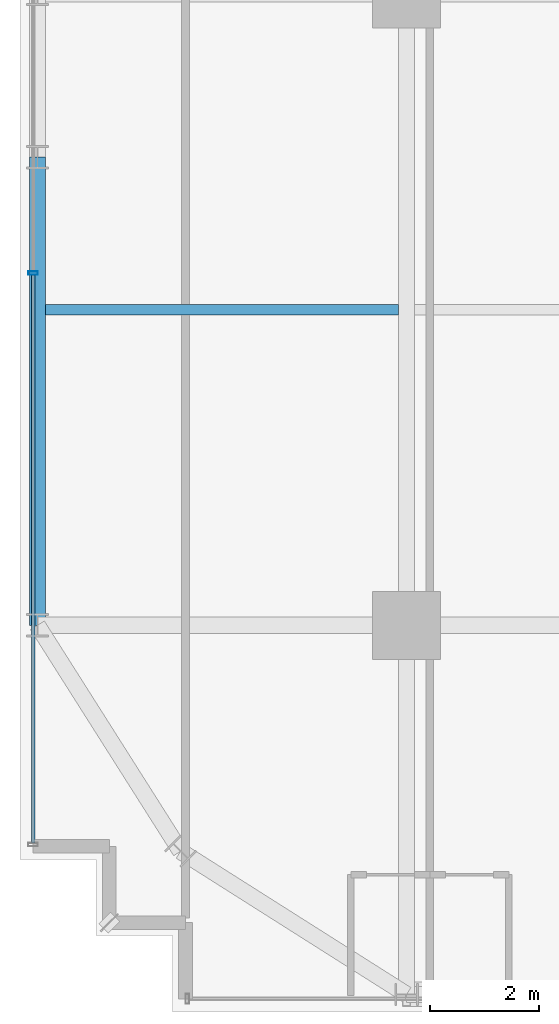
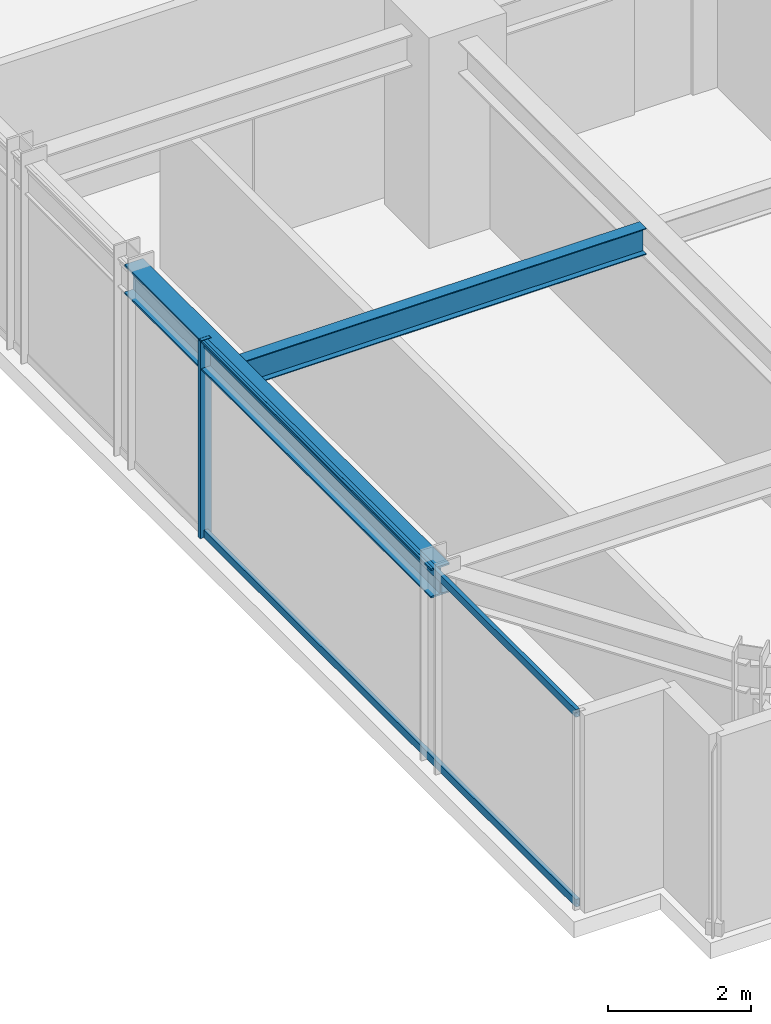
# One storey, part 4 of 41: 3 members, 2 beams, 1 element without a shape of its own.
"""IFC4 building model written with IfcOpenShell, lengths in metres."""

from ifc_helpers import new_model, si_unit, direction, frame, origin, origin_2d, place, context, subcontext, project, spatial, hollow_rectangle, i_section, extrude, source, transform, mapped, material, material_profile, profile_set, type_object, element, aggregate, save


model = new_model("IFC4")

# Units and contexts
model_context = context("Model", 3, precision=1e-05, world=origin(), true_north=direction((0.0, 1.0)))
body_context = subcontext(model_context, "Body", "Model", "MODEL_VIEW")
ifc_project = project(units=[si_unit("LENGTHUNIT", "METRE"), si_unit("AREAUNIT", "SQUARE_METRE"), si_unit("VOLUMEUNIT", "CUBIC_METRE"), si_unit("PLANEANGLEUNIT", "RADIAN"), si_unit("MASSUNIT", "GRAM", prefix="KILO")], contexts=[model_context])

# Site, building, storey
site_placement = place(None, origin())
site = spatial("IfcSite", under=ifc_project, at=site_placement, CompositionType="ELEMENT")
building_placement = place(site_placement, origin())
building = spatial("IfcBuilding", under=site, at=building_placement, Name="Nahalor Promenade Grand Hotel", CompositionType="ELEMENT")
storey_placement = place(building_placement, frame((0.0, 0.0, 113.85009765625)))
storey = spatial("IfcBuildingStorey", under=building, at=storey_placement, Name="L28", CompositionType="ELEMENT", Elevation=113.85009765625)

# Beams
ifc_material_1 = material(Name="Steel S355JR", Category="steel")
ifc_material_profile_1 = material_profile(ifc_material_1, i_section(OverallWidth=0.3, OverallDepth=0.5, WebThickness=0.0145, FlangeThickness=0.028, at=origin_2d()), Name="HEB 500")
ifc_profile_set_1 = profile_set([ifc_material_profile_1], Name="Steel S355JR")
beam_type_1 = type_object("IfcBeamType", Name="Beam-Spandrel-HEB500", PredefinedType="SPANDREL", material=ifc_profile_set_1)
shared_shape_1 = source(origin(), body_context, "Body", "SweptSolid", [
    extrude(i_section(OverallWidth=0.3, OverallDepth=0.5, WebThickness=0.0145, FlangeThickness=0.028, at=origin_2d()), origin(), (0.0, 0.0, 1.0), 8.60009765625),
])
beam_1_placement = place(storey_placement, frame((-23.780029296875, -17.0, 3.1298828125), z_axis=(0.0, 1.0, 0.0), x_axis=(-1.0, 0.0, 0.0)))
element("IfcBeam", 1, at=beam_1_placement, inside=storey, type_object=beam_type_1, Name="BM-L28-SP-W-0", PredefinedType="SPANDREL", context=body_context, shape_type="MappedRepresentation", body=[
    mapped(shared_shape_1, transform((0.0, 0.0, 0.0), scale=1.0)),
])
ifc_material_profile_2 = material_profile(ifc_material_1, i_section(OverallWidth=0.19, OverallDepth=0.45, WebThickness=0.0094, FlangeThickness=0.0146, at=origin_2d()), Name="IPE 450")
ifc_profile_set_2 = profile_set([ifc_material_profile_2], Name="Steel S355JR")
beam_type_2 = type_object("IfcBeamType", Name="Beam-Joist-IPE450", PredefinedType="JOIST", material=ifc_profile_set_2)
shared_shape_2 = source(origin(), body_context, "Body", "SweptSolid", [
    extrude(i_section(OverallWidth=0.19, OverallDepth=0.45, WebThickness=0.0094, FlangeThickness=0.0146, at=origin_2d()), origin(), (0.0, 0.0, 1.0), 6.47998046875),
])
beam_2_placement = place(storey_placement, frame((-23.6298828125, -11.199951171875, 3.15478515625), z_axis=(1.0, 0.0, 0.0), x_axis=(0.0, 1.0, 0.0)))
element("IfcBeam", 2, at=beam_2_placement, inside=storey, type_object=beam_type_2, Name="BM-L28-JSW-0-0", PredefinedType="JOIST", context=body_context, shape_type="MappedRepresentation", body=[
    mapped(shared_shape_2, transform((0.0, 0.0, 0.0), scale=1.0)),
])

# Curtain wall, members
ifc_material_2 = material(Name="Anodised Bronze Aluminium EN AW-6063 T6", Category="aluminium")
curtain_wall_type = type_object("IfcCurtainWallType", Name="CW2 Typical Hotel Flush Bronze Unitised Curtain Wall", PredefinedType="USERDEFINED", material=ifc_material_2)
curtain_wall_placement = place(storey_placement, origin())
curtain_wall = element("IfcCurtainWall", 3, at=curtain_wall_placement, inside=storey, type_object=curtain_wall_type, Name="L28 Curtain Wall CW-L28-W-1", ObjectType="UNITISED_CURTAIN_WALL", PredefinedType="USERDEFINED")
ifc_material_profile_3 = material_profile(ifc_material_2, hollow_rectangle(XDim=0.065, YDim=0.18, WallThickness=0.004, at=origin_2d()), Name="CWM 65x180x4")
ifc_profile_set_3 = profile_set([ifc_material_profile_3], Name="Anodised Bronze Aluminium EN AW-6063 T6")
member_type_1 = type_object("IfcMemberType", Name="CWM2 Typical Bronze Mullion 65x180", PredefinedType="MULLION", material=ifc_profile_set_3)
shared_shape_3 = source(origin(), body_context, "Body", "SweptSolid", [
    extrude(hollow_rectangle(XDim=0.065, YDim=0.18, WallThickness=0.004, at=origin_2d()), origin(), (0.0, 0.0, 1.0), 3.3798828125),
])
member_1_placement = place(storey_placement, frame((-23.860107421875, -10.530029296875, 0.0), z_axis=(0.0, 0.0, 1.0), x_axis=(0.0, 1.0, 0.0)))
member_1 = element("IfcMember", 4, at=member_1_placement, type_object=member_type_1, Name="CW-L28-W-1 Mullion 1", PredefinedType="MULLION", context=body_context, shape_type="MappedRepresentation", body=[
    mapped(shared_shape_3, transform((0.0, 0.0, 0.0), scale=1.0)),
])
ifc_material_profile_4 = material_profile(ifc_material_2, hollow_rectangle(XDim=0.065, YDim=0.13, WallThickness=0.004, at=origin_2d()), Name="CWT 65x130x4")
ifc_profile_set_4 = profile_set([ifc_material_profile_4], Name="Anodised Bronze Aluminium EN AW-6063 T6")
member_type_2 = type_object("IfcMemberType", Name="CWT2 Typical Bronze Transom 65x130", PredefinedType="USERDEFINED", material=ifc_profile_set_4)
shared_shape_4 = source(origin(), body_context, "Body", "SweptSolid", [
    extrude(hollow_rectangle(XDim=0.065, YDim=0.13, WallThickness=0.004, at=origin_2d()), origin(), (0.0, 0.0, 1.0), 10.4326171875),
])
member_2_placement = place(storey_placement, frame((-23.860107421875, -20.9951171875, 0.06494140625), z_axis=(0.0, 1.0, 0.0), x_axis=(-1.0, 0.0, 0.0)))
member_2 = element("IfcMember", 5, at=member_2_placement, type_object=member_type_2, Name="CW-L28-W-1 Transom 0-0", ObjectType="TRANSOM", PredefinedType="USERDEFINED", context=body_context, shape_type="MappedRepresentation", body=[
    mapped(shared_shape_4, transform((0.0, 0.0, 0.0), scale=1.0)),
])
member_3_placement = place(storey_placement, frame((-23.860107421875, -20.9951171875, 3.31494140625), z_axis=(0.0, 1.0, 0.0), x_axis=(-1.0, 0.0, 0.0)))
member_3 = element("IfcMember", 6, at=member_3_placement, type_object=member_type_2, Name="CW-L28-W-1 Transom 0-1", ObjectType="TRANSOM", PredefinedType="USERDEFINED", context=body_context, shape_type="MappedRepresentation", body=[
    mapped(shared_shape_4, transform((0.0, 0.0, 0.0), scale=1.0)),
])
aggregate(curtain_wall, [member_1, member_2, member_3])

save(model, "model.ifc")
